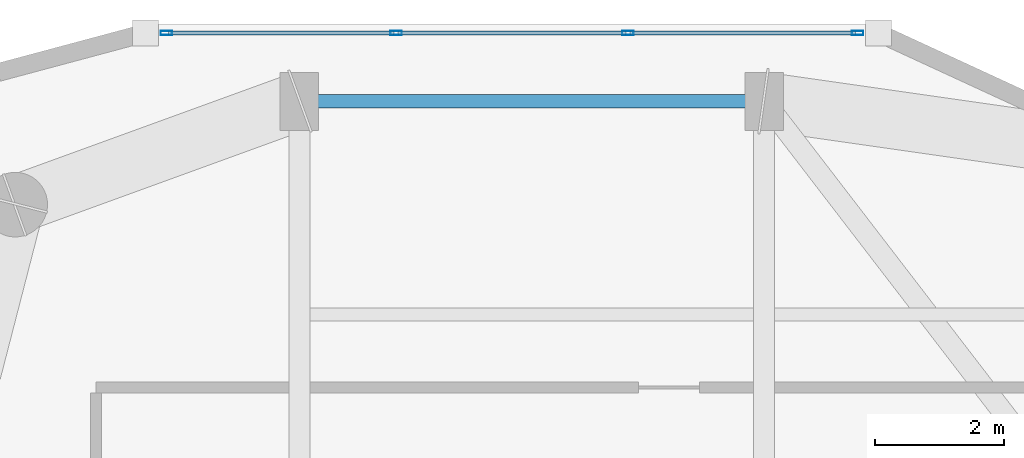
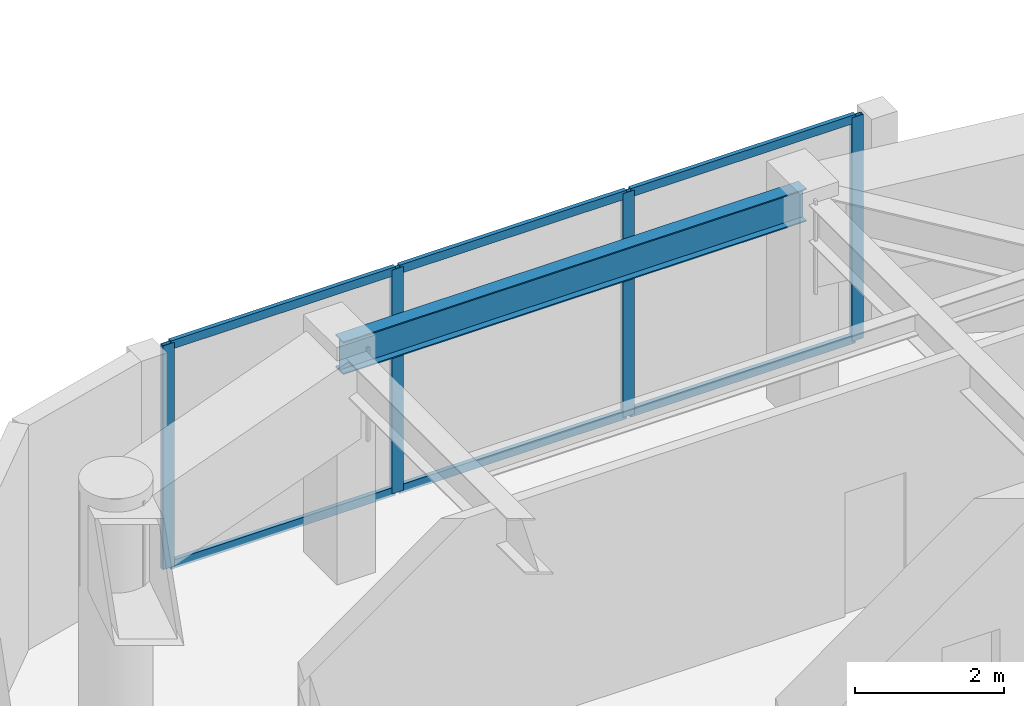
# One storey, part 6 of 15: 10 members, 1 beam, 1 element without a shape of its own.
"""IFC4 building model written with IfcOpenShell, lengths in metres."""

from ifc_helpers import new_model, si_unit, direction, frame, origin, origin_2d, place, context, subcontext, project, spatial, hollow_rectangle, i_section, extrude, material, layer, layer_set, material_profile, profile_set, type_object, element, aggregate, save


model = new_model("IFC4")

# Units and contexts
model_context = context("Model", 3, precision=1e-05, world=origin(), true_north=direction((0.0, 1.0)))
body_context = subcontext(model_context, "Body", "Model", "MODEL_VIEW")
ifc_project = project(units=[si_unit("LENGTHUNIT", "METRE"), si_unit("AREAUNIT", "SQUARE_METRE"), si_unit("VOLUMEUNIT", "CUBIC_METRE"), si_unit("PLANEANGLEUNIT", "RADIAN"), si_unit("MASSUNIT", "GRAM", prefix="KILO")], contexts=[model_context])

# Site, building, storey
site_placement = place(None, origin())
site = spatial("IfcSite", under=ifc_project, at=site_placement, CompositionType="ELEMENT")
building_placement = place(site_placement, origin())
building = spatial("IfcBuilding", under=site, at=building_placement, Name="Kiyonajd Concourse Tower", CompositionType="ELEMENT")
storey_placement = place(building_placement, frame((0.0, 0.0, 290.10009765625)))
storey = spatial("IfcBuildingStorey", under=building, at=storey_placement, Name="L73", CompositionType="ELEMENT", Elevation=290.10009765625)

# Beam
ifc_material_1 = material(Name="Steel ASTM A992 Grade 50", Category="steel")
ifc_material_profile_1 = material_profile(ifc_material_1, i_section(OverallWidth=0.2109375, OverallDepth=0.5390625, WebThickness=0.01171875, FlangeThickness=0.018798828125, at=origin_2d()), Name="W530X109")
ifc_profile_set_1 = profile_set([ifc_material_profile_1], Name="Steel ASTM A992 Grade 50")
beam_type = type_object("IfcBeamType", Name="BM-SPAN-530B", PredefinedType="SPANDREL", material=ifc_profile_set_1)
beam_placement = place(storey_placement, frame((39.60009765625, 52.199951171875, 3.410400390625), z_axis=(-1.0, 0.0, 0.0), x_axis=(0.0, -1.0, 0.0)))
element("IfcBeam", 1, at=beam_placement, inside=storey, type_object=beam_type, Name="L73 Perimeter Bundled Tube Spandrel", PredefinedType="SPANDREL", context=body_context, shape_type="SweptSolid", body=[
    extrude(i_section(OverallWidth=0.2109375, OverallDepth=0.5390625, WebThickness=0.01171875, FlangeThickness=0.018798828125, at=origin_2d()), origin(), (0.0, 0.0, 1.0), 7.2001953125),
])

# Curtain wall, members
ifc_material_2 = material(Name="Thermally Broken Anodised Aluminium", Category="aluminium")
ifc_layer = layer(ifc_material_2, 0.179931640625)
ifc_layer_set = layer_set([ifc_layer], Name="Thermally Broken Anodised Aluminium")
curtain_wall_type = type_object("IfcCurtainWallType", Name="CW-SYS-04", PredefinedType="NOTDEFINED", material=ifc_layer_set)
curtain_wall_placement = place(storey_placement, origin())
curtain_wall = element("IfcCurtainWall", 2, at=curtain_wall_placement, inside=storey, type_object=curtain_wall_type, Name="L73 Unitised Curtain Wall CW4", PredefinedType="NOTDEFINED")
ifc_material_profile_2 = material_profile(ifc_material_2, hollow_rectangle(XDim=0.06494140625, YDim=0.179931640625, WallThickness=0.00390625, at=origin_2d()), Name="MULL-65x180")
ifc_profile_set_2 = profile_set([ifc_material_profile_2], Name="Thermally Broken Anodised Aluminium")
member_type_1 = type_object("IfcMemberType", Name="MB-CW-MULL1", PredefinedType="MULLION", material=ifc_profile_set_2)
member_1_placement = place(storey_placement, frame((30.3408203125, 53.260009765625, 0.0), z_axis=(0.0, 0.0, 1.0), x_axis=(0.0, 1.0, 0.0)))
member_1 = element("IfcMember", 3, at=member_1_placement, type_object=member_type_1, Name="CW4 mullion 1", PredefinedType="MULLION", context=body_context, shape_type="SweptSolid", body=[
    extrude(hollow_rectangle(XDim=0.06494140625, YDim=0.179931640625, WallThickness=0.00390625, at=origin_2d()), origin(), (0.0, 0.0, 1.0), 3.679931640625),
])
member_2_placement = place(storey_placement, frame((33.898681640625, 53.260009765625, 0.0), z_axis=(0.0, 0.0, 1.0), x_axis=(0.0, 1.0, 0.0)))
member_2 = element("IfcMember", 4, at=member_2_placement, type_object=member_type_1, Name="CW4 mullion 2", PredefinedType="MULLION", context=body_context, shape_type="SweptSolid", body=[
    extrude(hollow_rectangle(XDim=0.06494140625, YDim=0.179931640625, WallThickness=0.00390625, at=origin_2d()), origin(), (0.0, 0.0, 1.0), 3.679931640625),
])
member_3_placement = place(storey_placement, frame((37.489013671875, 53.260009765625, 0.0), z_axis=(0.0, 0.0, 1.0), x_axis=(0.0, 1.0, 0.0)))
member_3 = element("IfcMember", 5, at=member_3_placement, type_object=member_type_1, Name="CW4 mullion 3", PredefinedType="MULLION", context=body_context, shape_type="SweptSolid", body=[
    extrude(hollow_rectangle(XDim=0.06494140625, YDim=0.179931640625, WallThickness=0.00390625, at=origin_2d()), origin(), (0.0, 0.0, 1.0), 3.679931640625),
])
member_4_placement = place(storey_placement, frame((41.046875, 53.260009765625, 0.0), z_axis=(0.0, 0.0, 1.0), x_axis=(0.0, 1.0, 0.0)))
member_4 = element("IfcMember", 6, at=member_4_placement, type_object=member_type_1, Name="CW4 mullion 4", PredefinedType="MULLION", context=body_context, shape_type="SweptSolid", body=[
    extrude(hollow_rectangle(XDim=0.06494140625, YDim=0.179931640625, WallThickness=0.00390625, at=origin_2d()), origin(), (0.0, 0.0, 1.0), 3.679931640625),
])
ifc_material_profile_3 = material_profile(ifc_material_2, hollow_rectangle(XDim=0.06494140625, YDim=0.139892578125, WallThickness=0.00390625, at=origin_2d()), Name="TRAN-65x140")
ifc_profile_set_3 = profile_set([ifc_material_profile_3], Name="Thermally Broken Anodised Aluminium")
member_type_2 = type_object("IfcMemberType", Name="MB-CW-TRAN1", PredefinedType="USERDEFINED", material=ifc_profile_set_3)
member_5_placement = place(storey_placement, frame((30.373291015625, 53.260009765625, 0.032470703125), z_axis=(1.0, 0.0, 0.0), x_axis=(0.0, 1.0, 0.0)))
member_5 = element("IfcMember", 7, at=member_5_placement, type_object=member_type_2, Name="CW4 transom 1.1", ObjectType="TRANSOM", PredefinedType="USERDEFINED", context=body_context, shape_type="SweptSolid", body=[
    extrude(hollow_rectangle(XDim=0.06494140625, YDim=0.139892578125, WallThickness=0.00390625, at=origin_2d()), origin(), (0.0, 0.0, 1.0), 3.492919921875),
])
member_6_placement = place(storey_placement, frame((30.373291015625, 53.260009765625, 3.6474609375), z_axis=(1.0, 0.0, 0.0), x_axis=(0.0, 1.0, 0.0)))
member_6 = element("IfcMember", 8, at=member_6_placement, type_object=member_type_2, Name="CW4 transom 1.2", ObjectType="TRANSOM", PredefinedType="USERDEFINED", context=body_context, shape_type="SweptSolid", body=[
    extrude(hollow_rectangle(XDim=0.06494140625, YDim=0.139892578125, WallThickness=0.00390625, at=origin_2d()), origin(), (0.0, 0.0, 1.0), 3.492919921875),
])
member_7_placement = place(storey_placement, frame((33.93115234375, 53.260009765625, 0.032470703125), z_axis=(1.0, 0.0, 0.0), x_axis=(0.0, 1.0, 0.0)))
member_7 = element("IfcMember", 9, at=member_7_placement, type_object=member_type_2, Name="CW4 transom 2.1", ObjectType="TRANSOM", PredefinedType="USERDEFINED", context=body_context, shape_type="SweptSolid", body=[
    extrude(hollow_rectangle(XDim=0.06494140625, YDim=0.139892578125, WallThickness=0.00390625, at=origin_2d()), origin(), (0.0, 0.0, 1.0), 3.525390625),
])
member_8_placement = place(storey_placement, frame((33.93115234375, 53.260009765625, 3.6474609375), z_axis=(1.0, 0.0, 0.0), x_axis=(0.0, 1.0, 0.0)))
member_8 = element("IfcMember", 10, at=member_8_placement, type_object=member_type_2, Name="CW4 transom 2.2", ObjectType="TRANSOM", PredefinedType="USERDEFINED", context=body_context, shape_type="SweptSolid", body=[
    extrude(hollow_rectangle(XDim=0.06494140625, YDim=0.139892578125, WallThickness=0.00390625, at=origin_2d()), origin(), (0.0, 0.0, 1.0), 3.525390625),
])
member_9_placement = place(storey_placement, frame((37.521484375, 53.260009765625, 0.032470703125), z_axis=(1.0, 0.0, 0.0), x_axis=(0.0, 1.0, 0.0)))
member_9 = element("IfcMember", 11, at=member_9_placement, type_object=member_type_2, Name="CW4 transom 3.1", ObjectType="TRANSOM", PredefinedType="USERDEFINED", context=body_context, shape_type="SweptSolid", body=[
    extrude(hollow_rectangle(XDim=0.06494140625, YDim=0.139892578125, WallThickness=0.00390625, at=origin_2d()), origin(), (0.0, 0.0, 1.0), 3.492919921875),
])
member_10_placement = place(storey_placement, frame((37.521484375, 53.260009765625, 3.6474609375), z_axis=(1.0, 0.0, 0.0), x_axis=(0.0, 1.0, 0.0)))
member_10 = element("IfcMember", 12, at=member_10_placement, type_object=member_type_2, Name="CW4 transom 3.2", ObjectType="TRANSOM", PredefinedType="USERDEFINED", context=body_context, shape_type="SweptSolid", body=[
    extrude(hollow_rectangle(XDim=0.06494140625, YDim=0.139892578125, WallThickness=0.00390625, at=origin_2d()), origin(), (0.0, 0.0, 1.0), 3.492919921875),
])
aggregate(curtain_wall, [member_1, member_2, member_3, member_4, member_5, member_6, member_7, member_8, member_9, member_10])

save(model, "model.ifc")
